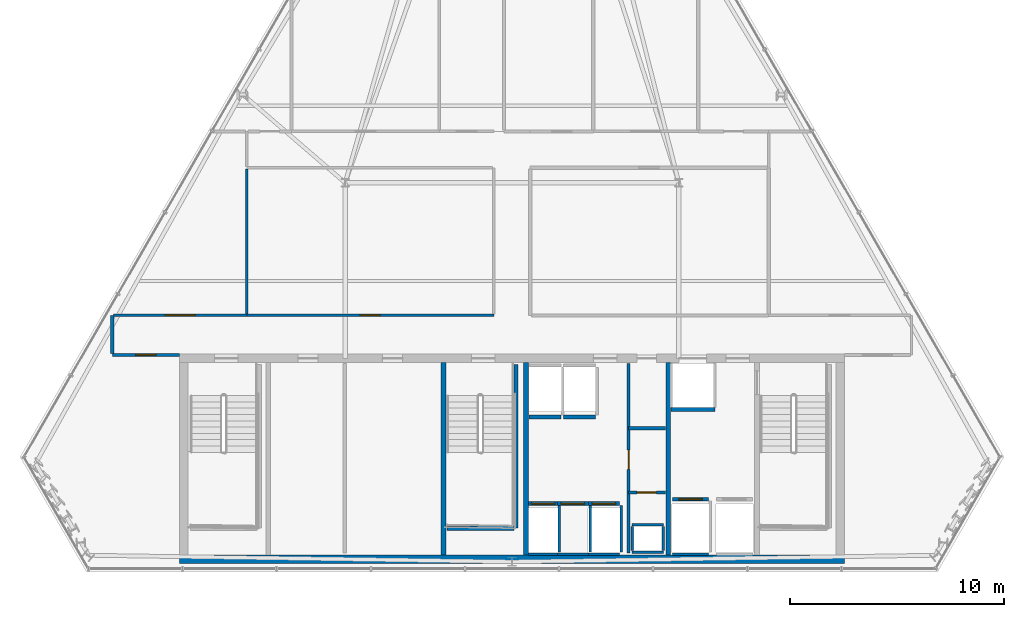
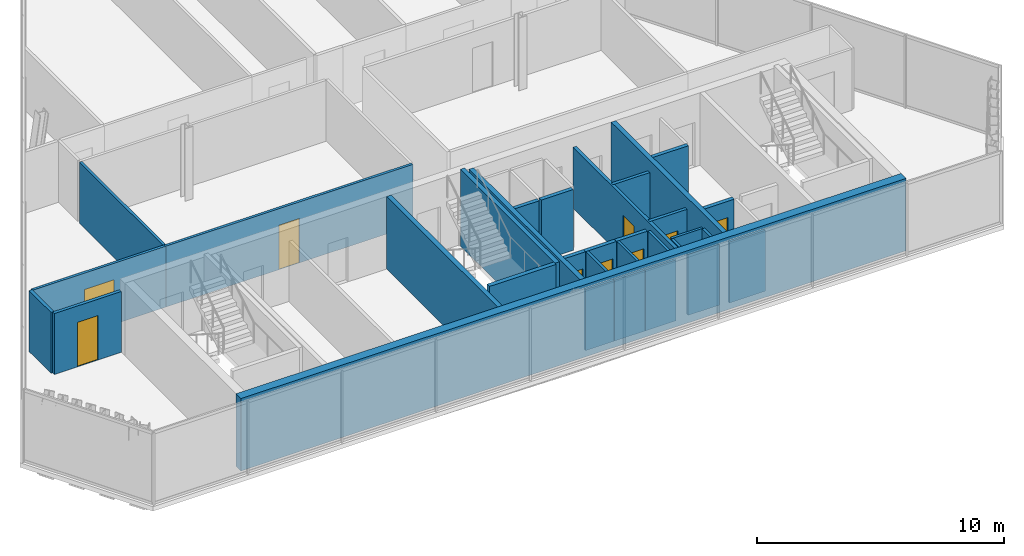
# One storey, part 27 of 32: 32 walls, 9 doors, 9 openings.
"""IFC4 building model written with IfcOpenShell, lengths in metres."""

from ifc_helpers import new_model, si_unit, direction, frame, frame_2d, origin, place, context, subcontext, project, spatial, rectangle, extrude, material, layer, layer_set, type_object, element, fill, save


model = new_model("IFC4")

# Units and contexts
model_context = context("Model", 3, precision=1e-05, world=origin(), true_north=direction((0.0, 1.0)))
body_context = subcontext(model_context, "Body", "Model", "MODEL_VIEW")
ifc_project = project(units=[si_unit("LENGTHUNIT", "METRE"), si_unit("AREAUNIT", "SQUARE_METRE"), si_unit("VOLUMEUNIT", "CUBIC_METRE"), si_unit("PLANEANGLEUNIT", "RADIAN"), si_unit("MASSUNIT", "GRAM", prefix="KILO")], contexts=[model_context])

# Site, building, storey
site_placement = place(None, origin())
site = spatial("IfcSite", under=ifc_project, at=site_placement, CompositionType="ELEMENT")
building_placement = place(site_placement, origin())
building = spatial("IfcBuilding", under=site, at=building_placement, Name="Ndaravel Arena Tower", CompositionType="ELEMENT")
storey_placement = place(building_placement, frame((0.0, 0.0, 259.800048828125)))
storey = spatial("IfcBuildingStorey", under=building, at=storey_placement, Name="L63", CompositionType="ELEMENT", Elevation=259.800048828125)

# Wall, opening, door
ifc_material_1 = material(Name="Gypsum", Category="gypsum")
ifc_layer_1 = layer(ifc_material_1, 0.14990234375)
ifc_layer_set_1 = layer_set([ifc_layer_1], Name="Gypsum")
wall_type_1 = type_object("IfcWallType", Name="WALL-COMP-150", PredefinedType="PARTITIONING", material=ifc_layer_set_1)
wall_1_placement = place(storey_placement, frame((47.449951171875, 5.89990234375, 0.0), z_axis=(0.0, 0.0, 1.0), x_axis=(0.0, 1.0, 0.0)))
wall_1 = element("IfcWall", 1, at=wall_1_placement, inside=storey, type_object=wall_type_1, Name="L63 Core Riser Bay Partition", PredefinedType="PARTITIONING", context=body_context, shape_type="SweptSolid", body=[
    extrude(rectangle(XDim=8.85009765625, YDim=0.14990234375, at=frame_2d((4.425048828125, 0.0))), origin(), (0.0, 0.0, 1.0), 3.010498046875),
])
opening_1_placement = place(wall_1_placement, frame((3.89990234375, 0.0, 0.0)))
opening_1 = element("IfcOpeningElement", 2, at=opening_1_placement, cuts=wall_1, Name="Opening RD-01", PredefinedType="OPENING", context=body_context, shape_type="SweptSolid", body=[
    extrude(rectangle(XDim=0.89990234375, YDim=2.10009765625, at=frame_2d((0.449951171875, 1.050048828125))), frame((0.0, 0.074951171875, 0.0), z_axis=(0.0, -1.0, 0.0), x_axis=(1.0, 0.0, 0.0)), (0.0, 0.0, 1.0), 0.14990234375),
])
ifc_material_2 = material(Name="Steel S355", Category="steel")
door_type_1 = type_object("IfcDoorType", Name="DT-08-RISER-900", OperationType="SINGLE_SWING_LEFT", PredefinedType="DOOR", material=ifc_material_2)
door_1_placement = place(opening_1_placement, origin())
door_1 = element("IfcDoor", 3, at=door_1_placement, inside=storey, type_object=door_type_1, Name="L63 Plumbing Riser Door", OperationType="SINGLE_SWING_LEFT", OverallHeight=2.10009765625, OverallWidth=0.89990234375, PredefinedType="DOOR", context=body_context, shape_type="SweptSolid", body=[
    extrude(rectangle(XDim=0.89990234375, YDim=2.10009765625, at=frame_2d((0.449951171875, 1.050048828125))), frame((0.0, 0.02490234375, 0.0), z_axis=(0.0, -1.0, 0.0), x_axis=(1.0, 0.0, 0.0)), (0.0, 0.0, 1.0), 0.050048828125),
])
fill(opening_1, door_1)

wall_2_placement = place(storey_placement, frame((47.449951171875, 8.719970703125, 0.0), z_axis=(0.0, 0.0, 1.0), x_axis=(1.0, 0.0, 0.0)))
wall_2 = element("IfcWall", 4, at=wall_2_placement, inside=storey, type_object=wall_type_1, Name="L63 Core Riser Divider 1", PredefinedType="PARTITIONING", context=body_context, shape_type="SweptSolid", body=[
    extrude(rectangle(XDim=1.72998046875, YDim=0.14990234375, at=frame_2d((0.864990234375, 0.0))), origin(), (0.0, 0.0, 1.0), 3.010498046875),
])
opening_2_placement = place(wall_2_placement, frame((0.39990234375, 0.0, 0.0)))
opening_2 = element("IfcOpeningElement", 5, at=opening_2_placement, cuts=wall_2, Name="Opening RD-01", PredefinedType="OPENING", context=body_context, shape_type="SweptSolid", body=[
    extrude(rectangle(XDim=0.89990234375, YDim=2.10009765625, at=frame_2d((0.449951171875, 1.050048828125))), frame((0.0, 0.074951171875, 0.0), z_axis=(0.0, -1.0, 0.0), x_axis=(1.0, 0.0, 0.0)), (0.0, 0.0, 1.0), 0.14990234375),
])
door_2_placement = place(opening_2_placement, origin())
door_2 = element("IfcDoor", 6, at=door_2_placement, inside=storey, type_object=door_type_1, Name="L63 Low-Voltage Riser Door", OperationType="SINGLE_SWING_RIGHT", OverallHeight=2.10009765625, OverallWidth=0.89990234375, PredefinedType="DOOR", context=body_context, shape_type="SweptSolid", body=[
    extrude(rectangle(XDim=0.89990234375, YDim=2.10009765625, at=frame_2d((0.449951171875, 1.050048828125))), frame((0.0, 0.02490234375, 0.0), z_axis=(0.0, -1.0, 0.0), x_axis=(1.0, 0.0, 0.0)), (0.0, 0.0, 1.0), 0.050048828125),
])
fill(opening_2, door_2)

# Walls
wall_3_placement = place(storey_placement, frame((47.449951171875, 11.719970703125, 0.0), z_axis=(0.0, 0.0, 1.0), x_axis=(1.0, 0.0, 0.0)))
element("IfcWall", 7, at=wall_3_placement, inside=storey, type_object=wall_type_1, Name="L63 Core Riser Divider 2", PredefinedType="PARTITIONING", context=body_context, shape_type="SweptSolid", body=[
    extrude(rectangle(XDim=1.72998046875, YDim=0.14990234375, at=frame_2d((0.864990234375, 0.0))), origin(), (0.0, 0.0, 1.0), 3.010498046875),
])
ifc_material_3 = material(Name="Concrete C50/60", Category="concrete")
ifc_layer_2 = layer(ifc_material_3, 0.219970703125)
ifc_layer_set_2 = layer_set([ifc_layer_2], Name="Concrete C50/60")
wall_type_2 = type_object("IfcWallType", Name="WALL-CORE-220", PredefinedType="SOLIDWALL", material=ifc_layer_set_2)
for number, where, z_axis, x_axis, name in (
    (8, (38.800048828125, 5.800048828125, 0.0), (0.0, 0.0, 1.0), (0.0, 1.0, 0.0), "L63 Core Web Shear Wall 2"),
    (9, (42.64990234375, 5.800048828125, 0.0), (0.0, 0.0, 1.0), (0.0, 1.0, 0.0), "L63 Core Web Shear Wall 3"),
    (10, (49.300048828125, 5.800048828125, 0.0), (0.0, 0.0, 1.0), (0.0, 1.0, 0.0), "L63 Core Web Shear Wall 4"),
):
    element("IfcWall", number, at=place(storey_placement, frame(where, z_axis=z_axis, x_axis=x_axis)), inside=storey, type_object=wall_type_2, Name=name, PredefinedType="SOLIDWALL", context=body_context, shape_type="SweptSolid", body=[
        extrude(rectangle(XDim=9.0, YDim=0.219970703125, at=frame_2d((4.5, 0.0))), origin(), (0.0, 0.0, 1.0), 3.579833984375),
    ])
ifc_material_4 = material(Name="Concrete C50/60", Category="concrete")
ifc_layer_3 = layer(ifc_material_4, 0.39990234375)
ifc_layer_set_3 = layer_set([ifc_layer_3], Name="Concrete C50/60")
wall_type_3 = type_object("IfcWallType", Name="WALL-CORE-400", PredefinedType="SOLIDWALL", material=ifc_layer_set_3)
wall_4_placement = place(storey_placement, frame((26.449951171875, 5.60009765625, 0.0), z_axis=(0.0, 0.0, 1.0), x_axis=(1.0, 0.0, 0.0)))
element("IfcWall", 11, at=wall_4_placement, inside=storey, type_object=wall_type_3, Name="L63 Core South Shear Wall", PredefinedType="SOLIDWALL", context=body_context, shape_type="SweptSolid", body=[
    extrude(rectangle(XDim=31.10009765625, YDim=0.39990234375, at=frame_2d((15.550048828125, 0.0))), origin(), (0.0, 0.0, 1.0), 3.579833984375),
])

# Wall, opening, door
ifc_material_5 = material(Name="Gypsum", Category="gypsum")
ifc_layer_4 = layer(ifc_material_5, 0.125)
ifc_layer_set_4 = layer_set([ifc_layer_4], Name="Gypsum")
wall_type_4 = type_object("IfcWallType", Name="WALL-PART-125", PredefinedType="PARTITIONING", material=ifc_layer_set_4)
wall_5_placement = place(storey_placement, frame((23.3798828125, 17.0, 0.0), z_axis=(0.0, 0.0, 1.0), x_axis=(1.0, 0.0, 0.0)))
wall_5 = element("IfcWall", 12, at=wall_5_placement, inside=storey, type_object=wall_type_4, Name="L63 Interior Partition 005", PredefinedType="PARTITIONING", context=body_context, shape_type="SweptSolid", body=[
    extrude(rectangle(XDim=6.22021484375, YDim=0.125, at=frame_2d((3.110107421875, 0.0))), origin(), (0.0, 0.0, 1.0), 3.010498046875),
])
opening_3_placement = place(wall_5_placement, frame((2.409912109375, 0.0, 0.0)))
opening_3 = element("IfcOpeningElement", 13, at=opening_3_placement, cuts=wall_5, Name="Opening ID-02", PredefinedType="OPENING", context=body_context, shape_type="SweptSolid", body=[
    extrude(rectangle(XDim=1.39990234375, YDim=2.199951171875, at=frame_2d((0.699951171875, 1.10009765625))), frame((0.0, 0.0625, 0.0), z_axis=(0.0, -1.0, 0.0), x_axis=(1.0, 0.0, 0.0)), (0.0, 0.0, 1.0), 0.125),
])
ifc_material_6 = material(Name="Timber", Category="wood")
door_type_2 = type_object("IfcDoorType", Name="DT-04-SUITE-1400", OperationType="DOUBLE_DOOR_SINGLE_SWING", PredefinedType="DOOR", material=ifc_material_6)
door_3_placement = place(opening_3_placement, origin())
door_3 = element("IfcDoor", 14, at=door_3_placement, inside=storey, type_object=door_type_2, Name="L63 Executive Boardroom Door", OperationType="SINGLE_SWING_RIGHT", OverallHeight=2.199951171875, OverallWidth=1.39990234375, PredefinedType="DOOR", context=body_context, shape_type="SweptSolid", body=[
    extrude(rectangle(XDim=1.39990234375, YDim=2.199951171875, at=frame_2d((0.699951171875, 1.10009765625))), frame((0.0, 0.02490234375, 0.0), z_axis=(0.0, -1.0, 0.0), x_axis=(1.0, 0.0, 0.0)), (0.0, 0.0, 1.0), 0.050048828125),
])
fill(opening_3, door_3)

wall_6_placement = place(storey_placement, frame((29.60009765625, 17.0, 0.0), z_axis=(0.0, 0.0, 1.0), x_axis=(1.0, 0.0, 0.0)))
wall_6 = element("IfcWall", 15, at=wall_6_placement, inside=storey, type_object=wall_type_4, Name="L63 Interior Partition 006", PredefinedType="PARTITIONING", context=body_context, shape_type="SweptSolid", body=[
    extrude(rectangle(XDim=11.5498046875, YDim=0.125, at=frame_2d((5.77490234375, 0.0))), origin(), (0.0, 0.0, 1.0), 3.010498046875),
])
opening_4_placement = place(wall_6_placement, frame((5.300048828125, 0.0, 0.0)))
opening_4 = element("IfcOpeningElement", 16, at=opening_4_placement, cuts=wall_6, Name="Opening ID-01", PredefinedType="OPENING", context=body_context, shape_type="SweptSolid", body=[
    extrude(rectangle(XDim=0.949951171875, YDim=2.199951171875, at=frame_2d((0.47509765625, 1.10009765625))), frame((0.0, 0.0625, 0.0), z_axis=(0.0, -1.0, 0.0), x_axis=(1.0, 0.0, 0.0)), (0.0, 0.0, 1.0), 0.125),
])
ifc_material_7 = material(Name="Timber", Category="wood")
door_type_3 = type_object("IfcDoorType", Name="DT-03-OFFICE-950", OperationType="SINGLE_SWING_LEFT", PredefinedType="DOOR", material=ifc_material_7)
door_4_placement = place(opening_4_placement, origin())
door_4 = element("IfcDoor", 17, at=door_4_placement, inside=storey, type_object=door_type_3, Name="L63 Staff Wellness Clinic Door", OperationType="SINGLE_SWING_LEFT", OverallHeight=2.199951171875, OverallWidth=0.949951171875, PredefinedType="DOOR", context=body_context, shape_type="SweptSolid", body=[
    extrude(rectangle(XDim=0.949951171875, YDim=2.199951171875, at=frame_2d((0.47509765625, 1.10009765625))), frame((0.0, 0.02490234375, 0.0), z_axis=(0.0, -1.0, 0.0), x_axis=(1.0, 0.0, 0.0)), (0.0, 0.0, 1.0), 0.050048828125),
])
fill(opening_4, door_4)

# Walls
wall_7_placement = place(storey_placement, frame((29.60009765625, 23.8349609375, 0.0), z_axis=(0.0, 0.0, 1.0), x_axis=(0.0, -1.0, 0.0)))
element("IfcWall", 18, at=wall_7_placement, inside=storey, type_object=wall_type_4, Name="L63 Interior Partition 022", PredefinedType="PARTITIONING", context=body_context, shape_type="SweptSolid", body=[
    extrude(rectangle(XDim=6.77001953125, YDim=0.125, at=frame_2d((3.385009765625, 0.0))), origin(), (0.0, 0.0, 1.0), 3.010498046875),
])
ifc_material_8 = material(Name="Concrete C40/50", Category="concrete")
ifc_layer_5 = layer(ifc_material_8, 0.1201171875)
ifc_layer_set_5 = layer_set([ifc_layer_5], Name="Concrete C40/50")
wall_type_5 = type_object("IfcWallType", Name="WALL-SHAFT-120", PredefinedType="SOLIDWALL", material=ifc_layer_set_5)
for number, where, z_axis, x_axis, name in (
    (19, (47.6201171875, 5.919921875, 0.0), (0.0, 0.0, 1.0), (1.0, 0.0, 0.0), "L63 MEP Riser Shaft S Wall"),
    (20, (47.6201171875, 7.219970703125, 0.0), (0.0, 0.0, 1.0), (1.0, 0.0, 0.0), "L63 MEP Riser Shaft N Wall"),
):
    element("IfcWall", number, at=place(storey_placement, frame(where, z_axis=z_axis, x_axis=x_axis)), inside=storey, type_object=wall_type_5, Name=name, PredefinedType="SOLIDWALL", context=body_context, shape_type="SweptSolid", body=[
        extrude(rectangle(XDim=1.4599609375, YDim=0.1201171875, at=frame_2d((0.72998046875, 0.0))), origin(), (0.0, 0.0, 1.0), 3.010498046875),
    ])
for number, where, z_axis, x_axis, name in (
    (21, (47.6201171875, 6.0, 0.0), (0.0, 0.0, 1.0), (0.0, 1.0, 0.0), "L63 MEP Riser Shaft W Wall"),
    (22, (49.080078125, 6.0, 0.0), (0.0, 0.0, 1.0), (0.0, 1.0, 0.0), "L63 MEP Riser Shaft E Wall"),
):
    element("IfcWall", number, at=place(storey_placement, frame(where, z_axis=z_axis, x_axis=x_axis)), inside=storey, type_object=wall_type_5, Name=name, PredefinedType="SOLIDWALL", context=body_context, shape_type="SweptSolid", body=[
        extrude(rectangle(XDim=1.139892578125, YDim=0.1201171875, at=frame_2d((0.56982421875, 0.0))), origin(), (0.0, 0.0, 1.0), 3.010498046875),
    ])
wall_8_placement = place(storey_placement, frame((42.780029296875, 5.840087890625, 0.0), z_axis=(0.0, 0.0, 1.0), x_axis=(1.0, 0.0, 0.0)))
element("IfcWall", 23, at=wall_8_placement, inside=storey, type_object=wall_type_5, Name="L63 PL-H1 Shaft Rear Wall", PredefinedType="SOLIDWALL", context=body_context, shape_type="SweptSolid", body=[
    extrude(rectangle(XDim=1.340087890625, YDim=0.1201171875, at=frame_2d((0.669921875, 0.0))), origin(), (0.0, 0.0, 1.0), 3.010498046875),
])
wall_9_placement = place(storey_placement, frame((44.199951171875, 5.929931640625, 0.0), z_axis=(0.0, 0.0, 1.0), x_axis=(0.0, 1.0, 0.0)))
element("IfcWall", 24, at=wall_9_placement, inside=storey, type_object=wall_type_5, Name="L63 PL-H1 Shaft Side R Wall", PredefinedType="SOLIDWALL", context=body_context, shape_type="SweptSolid", body=[
    extrude(rectangle(XDim=2.18017578125, YDim=0.1201171875, at=frame_2d((1.090087890625, 0.0))), origin(), (0.0, 0.0, 1.0), 3.010498046875),
])
wall_10_placement = place(storey_placement, frame((44.1298828125, 5.840087890625, 0.0), z_axis=(0.0, 0.0, 1.0), x_axis=(1.0, 0.0, 0.0)))
element("IfcWall", 25, at=wall_10_placement, inside=storey, type_object=wall_type_5, Name="L63 PL-H2 Shaft Rear Wall", PredefinedType="SOLIDWALL", context=body_context, shape_type="SweptSolid", body=[
    extrude(rectangle(XDim=1.440185546875, YDim=0.1201171875, at=frame_2d((0.72021484375, 0.0))), origin(), (0.0, 0.0, 1.0), 3.010498046875),
])
wall_11_placement = place(storey_placement, frame((45.64990234375, 5.929931640625, 0.0), z_axis=(0.0, 0.0, 1.0), x_axis=(0.0, 1.0, 0.0)))
element("IfcWall", 26, at=wall_11_placement, inside=storey, type_object=wall_type_5, Name="L63 PL-H2 Shaft Side R Wall", PredefinedType="SOLIDWALL", context=body_context, shape_type="SweptSolid", body=[
    extrude(rectangle(XDim=2.18017578125, YDim=0.1201171875, at=frame_2d((1.090087890625, 0.0))), origin(), (0.0, 0.0, 1.0), 3.010498046875),
])
wall_12_placement = place(storey_placement, frame((45.580078125, 5.840087890625, 0.0), z_axis=(0.0, 0.0, 1.0), x_axis=(1.0, 0.0, 0.0)))
element("IfcWall", 27, at=wall_12_placement, inside=storey, type_object=wall_type_5, Name="L63 PL-H3 Shaft Rear Wall", PredefinedType="SOLIDWALL", context=body_context, shape_type="SweptSolid", body=[
    extrude(rectangle(XDim=1.43994140625, YDim=0.1201171875, at=frame_2d((0.719970703125, 0.0))), origin(), (0.0, 0.0, 1.0), 3.010498046875),
])
wall_13_placement = place(storey_placement, frame((47.10009765625, 5.929931640625, 0.0), z_axis=(0.0, 0.0, 1.0), x_axis=(0.0, 1.0, 0.0)))
element("IfcWall", 28, at=wall_13_placement, inside=storey, type_object=wall_type_5, Name="L63 PL-H3 Shaft Side R Wall", PredefinedType="SOLIDWALL", context=body_context, shape_type="SweptSolid", body=[
    extrude(rectangle(XDim=2.18017578125, YDim=0.1201171875, at=frame_2d((1.090087890625, 0.0))), origin(), (0.0, 0.0, 1.0), 3.010498046875),
])
wall_14_placement = place(storey_placement, frame((49.5048828125, 5.840087890625, 0.0), z_axis=(0.0, 0.0, 1.0), x_axis=(1.0, 0.0, 0.0)))
element("IfcWall", 29, at=wall_14_placement, inside=storey, type_object=wall_type_5, Name="L63 FFL-1 Shaft Rear Wall", PredefinedType="SOLIDWALL", context=body_context, shape_type="SweptSolid", body=[
    extrude(rectangle(XDim=1.690185546875, YDim=0.1201171875, at=frame_2d((0.84521484375, 0.0))), origin(), (0.0, 0.0, 1.0), 3.010498046875),
])
ifc_material_9 = material(Name="Concrete C40/50", Category="concrete")
ifc_layer_6 = layer(ifc_material_9, 0.199951171875)
ifc_layer_set_6 = layer_set([ifc_layer_6], Name="Concrete C40/50")
wall_type_6 = type_object("IfcWallType", Name="WALL-SHAFT-200", PredefinedType="SOLIDWALL", material=ifc_layer_set_6)
wall_15_placement = place(storey_placement, frame((42.18994140625, 14.699951171875, 0.0), z_axis=(0.0, 0.0, 1.0), x_axis=(0.0, -1.0, 0.0)))
element("IfcWall", 30, at=wall_15_placement, inside=storey, type_object=wall_type_6, Name="L63 ST-2 Structural Shaft Wall Right", PredefinedType="SOLIDWALL", context=body_context, shape_type="SweptSolid", body=[
    extrude(rectangle(XDim=7.64990234375, YDim=0.199951171875, at=frame_2d((3.824951171875, 0.0))), origin(), (0.0, 0.0, 1.0), 3.800048828125),
])
wall_16_placement = place(storey_placement, frame((38.969970703125, 7.050048828125, 0.0), z_axis=(0.0, 0.0, 1.0), x_axis=(1.0, 0.0, 0.0)))
element("IfcWall", 31, at=wall_16_placement, inside=storey, type_object=wall_type_6, Name="L63 ST-2 Structural Shaft Wall Far", PredefinedType="SOLIDWALL", context=body_context, shape_type="SweptSolid", body=[
    extrude(rectangle(XDim=3.114990234375, YDim=0.199951171875, at=frame_2d((1.5576171875, 0.0))), origin(), (0.0, 0.0, 1.0), 3.800048828125),
])

# Wall, opening, door
wall_17_placement = place(storey_placement, frame((42.780029296875, 8.199951171875, 0.0), z_axis=(0.0, 0.0, 1.0), x_axis=(1.0, 0.0, 0.0)))
wall_17 = element("IfcWall", 32, at=wall_17_placement, inside=storey, type_object=wall_type_6, Name="L63 PL-H1 Shaft Landing Wall", PredefinedType="SOLIDWALL", context=body_context, shape_type="SweptSolid", body=[
    extrude(rectangle(XDim=1.340087890625, YDim=0.179931640625, at=frame_2d((0.669921875, 0.0))), origin(), (0.0, 0.0, 1.0), 3.010498046875),
])
opening_5_placement = place(wall_17_placement, frame((0.1201171875, 0.0, 0.0)))
opening_5 = element("IfcOpeningElement", 33, at=opening_5_placement, cuts=wall_17, Name="Opening LD-01", PredefinedType="OPENING", context=body_context, shape_type="SweptSolid", body=[
    extrude(rectangle(XDim=1.10009765625, YDim=2.199951171875, at=frame_2d((0.550048828125, 1.10009765625))), frame((0.0, 0.08984375, 0.0), z_axis=(0.0, -1.0, 0.0), x_axis=(1.0, 0.0, 0.0)), (0.0, 0.0, 1.0), 0.179931640625),
])
ifc_material_10 = material(Name="Steel S355", Category="steel")
door_type_4 = type_object("IfcDoorType", Name="DT-06-LIFT-1100", OperationType="SLIDING_TO_LEFT", PredefinedType="DOOR", material=ifc_material_10)
door_5_placement = place(opening_5_placement, origin())
door_5 = element("IfcDoor", 34, at=door_5_placement, inside=storey, type_object=door_type_4, Name="L63 Lift PL-H1 Sliding Landing Door", OperationType="SLIDING_TO_LEFT", OverallHeight=2.199951171875, OverallWidth=1.10009765625, PredefinedType="DOOR", context=body_context, shape_type="SweptSolid", body=[
    extrude(rectangle(XDim=1.10009765625, YDim=2.199951171875, at=frame_2d((0.550048828125, 1.10009765625))), frame((0.0, 0.02490234375, 0.0), z_axis=(0.0, -1.0, 0.0), x_axis=(1.0, 0.0, 0.0)), (0.0, 0.0, 1.0), 0.050048828125),
])
fill(opening_5, door_5)

wall_18_placement = place(storey_placement, frame((44.1298828125, 8.199951171875, 0.0), z_axis=(0.0, 0.0, 1.0), x_axis=(1.0, 0.0, 0.0)))
wall_18 = element("IfcWall", 35, at=wall_18_placement, inside=storey, type_object=wall_type_6, Name="L63 PL-H2 Shaft Landing Wall", PredefinedType="SOLIDWALL", context=body_context, shape_type="SweptSolid", body=[
    extrude(rectangle(XDim=1.440185546875, YDim=0.179931640625, at=frame_2d((0.72021484375, 0.0))), origin(), (0.0, 0.0, 1.0), 3.010498046875),
])
opening_6_placement = place(wall_18_placement, frame((0.169921875, 0.0, 0.0)))
opening_6 = element("IfcOpeningElement", 36, at=opening_6_placement, cuts=wall_18, Name="Opening LD-01", PredefinedType="OPENING", context=body_context, shape_type="SweptSolid", body=[
    extrude(rectangle(XDim=1.10009765625, YDim=2.199951171875, at=frame_2d((0.550048828125, 1.10009765625))), frame((0.0, 0.08984375, 0.0), z_axis=(0.0, -1.0, 0.0), x_axis=(1.0, 0.0, 0.0)), (0.0, 0.0, 1.0), 0.179931640625),
])
door_6_placement = place(opening_6_placement, origin())
door_6 = element("IfcDoor", 37, at=door_6_placement, inside=storey, type_object=door_type_4, Name="L63 Lift PL-H2 Sliding Landing Door", OperationType="SLIDING_TO_LEFT", OverallHeight=2.199951171875, OverallWidth=1.10009765625, PredefinedType="DOOR", context=body_context, shape_type="SweptSolid", body=[
    extrude(rectangle(XDim=1.10009765625, YDim=2.199951171875, at=frame_2d((0.550048828125, 1.10009765625))), frame((0.0, 0.02490234375, 0.0), z_axis=(0.0, -1.0, 0.0), x_axis=(1.0, 0.0, 0.0)), (0.0, 0.0, 1.0), 0.050048828125),
])
fill(opening_6, door_6)

wall_19_placement = place(storey_placement, frame((45.580078125, 8.199951171875, 0.0), z_axis=(0.0, 0.0, 1.0), x_axis=(1.0, 0.0, 0.0)))
wall_19 = element("IfcWall", 38, at=wall_19_placement, inside=storey, type_object=wall_type_6, Name="L63 PL-H3 Shaft Landing Wall", PredefinedType="SOLIDWALL", context=body_context, shape_type="SweptSolid", body=[
    extrude(rectangle(XDim=1.43994140625, YDim=0.179931640625, at=frame_2d((0.719970703125, 0.0))), origin(), (0.0, 0.0, 1.0), 3.010498046875),
])
opening_7_placement = place(wall_19_placement, frame((0.169921875, 0.0, 0.0)))
opening_7 = element("IfcOpeningElement", 39, at=opening_7_placement, cuts=wall_19, Name="Opening LD-01", PredefinedType="OPENING", context=body_context, shape_type="SweptSolid", body=[
    extrude(rectangle(XDim=1.10009765625, YDim=2.199951171875, at=frame_2d((0.550048828125, 1.10009765625))), frame((0.0, 0.08984375, 0.0), z_axis=(0.0, -1.0, 0.0), x_axis=(1.0, 0.0, 0.0)), (0.0, 0.0, 1.0), 0.179931640625),
])
door_7_placement = place(opening_7_placement, origin())
door_7 = element("IfcDoor", 40, at=door_7_placement, inside=storey, type_object=door_type_4, Name="L63 Lift PL-H3 Sliding Landing Door", OperationType="SLIDING_TO_LEFT", OverallHeight=2.199951171875, OverallWidth=1.10009765625, PredefinedType="DOOR", context=body_context, shape_type="SweptSolid", body=[
    extrude(rectangle(XDim=1.10009765625, YDim=2.199951171875, at=frame_2d((0.550048828125, 1.10009765625))), frame((0.0, 0.02490234375, 0.0), z_axis=(0.0, -1.0, 0.0), x_axis=(1.0, 0.0, 0.0)), (0.0, 0.0, 1.0), 0.050048828125),
])
fill(opening_7, door_7)

# Walls
for number, where, z_axis, x_axis, name in (
    (41, (42.804931640625, 12.25, 0.0), (0.0, 0.0, 1.0), (1.0, 0.0, 0.0), "L63 PL-OBS1 Shaft Landing Wall"),
    (42, (44.405029296875, 12.25, 0.0), (0.0, 0.0, 1.0), (1.0, 0.0, 0.0), "L63 PL-OBS2 Shaft Landing Wall"),
):
    element("IfcWall", number, at=place(storey_placement, frame(where, z_axis=z_axis, x_axis=x_axis)), inside=storey, type_object=wall_type_6, Name=name, PredefinedType="SOLIDWALL", context=body_context, shape_type="SweptSolid", body=[
        extrude(rectangle(XDim=1.489990234375, YDim=0.179931640625, at=frame_2d((0.7451171875, 0.0))), origin(), (0.0, 0.0, 1.0), 3.010498046875),
    ])

# Wall, opening, door
wall_20_placement = place(storey_placement, frame((49.5048828125, 8.39990234375, 0.0), z_axis=(0.0, 0.0, 1.0), x_axis=(1.0, 0.0, 0.0)))
wall_20 = element("IfcWall", 43, at=wall_20_placement, inside=storey, type_object=wall_type_6, Name="L63 FFL-1 Shaft Landing Wall", PredefinedType="SOLIDWALL", context=body_context, shape_type="SweptSolid", body=[
    extrude(rectangle(XDim=1.690185546875, YDim=0.179931640625, at=frame_2d((0.84521484375, 0.0))), origin(), (0.0, 0.0, 1.0), 3.010498046875),
])
opening_8_placement = place(wall_20_placement, frame((0.294921875, 0.0, 0.0)))
opening_8 = element("IfcOpeningElement", 44, at=opening_8_placement, cuts=wall_20, Name="Opening LD-01", PredefinedType="OPENING", context=body_context, shape_type="SweptSolid", body=[
    extrude(rectangle(XDim=1.10009765625, YDim=2.199951171875, at=frame_2d((0.550048828125, 1.10009765625))), frame((0.0, 0.08984375, 0.0), z_axis=(0.0, -1.0, 0.0), x_axis=(1.0, 0.0, 0.0)), (0.0, 0.0, 1.0), 0.179931640625),
])
door_8_placement = place(opening_8_placement, origin())
door_8 = element("IfcDoor", 45, at=door_8_placement, inside=storey, type_object=door_type_4, Name="L63 Lift FFL-1 Sliding Landing Door", OperationType="SLIDING_TO_LEFT", OverallHeight=2.199951171875, OverallWidth=1.10009765625, PredefinedType="DOOR", context=body_context, shape_type="SweptSolid", body=[
    extrude(rectangle(XDim=1.10009765625, YDim=2.199951171875, at=frame_2d((0.550048828125, 1.10009765625))), frame((0.0, 0.02490234375, 0.0), z_axis=(0.0, -1.0, 0.0), x_axis=(1.0, 0.0, 0.0)), (0.0, 0.0, 1.0), 0.050048828125),
])
fill(opening_8, door_8)

# Wall
wall_21_placement = place(storey_placement, frame((49.43994140625, 12.594970703125, 0.0), z_axis=(0.0, 0.0, 1.0), x_axis=(1.0, 0.0, 0.0)))
element("IfcWall", 46, at=wall_21_placement, inside=storey, type_object=wall_type_6, Name="L63 SVL-1 Shaft South Wall", PredefinedType="SOLIDWALL", context=body_context, shape_type="SweptSolid", body=[
    extrude(rectangle(XDim=2.0400390625, YDim=0.179931640625, at=frame_2d((1.02001953125, 0.0))), origin(), (0.0, 0.0, 1.0), 3.010498046875),
])

# Wall, opening, door
ifc_material_11 = material(Name="Masonry", Category="masonry")
ifc_layer_7 = layer(ifc_material_11, 0.14990234375)
ifc_layer_set_7 = layer_set([ifc_layer_7], Name="Masonry")
wall_type_7 = type_object("IfcWallType", Name="WALL-WET-150", PredefinedType="PARTITIONING", material=ifc_layer_set_7)
wall_22_placement = place(storey_placement, frame((26.449951171875, 15.14990234375, 0.0), z_axis=(0.0, 0.0, 1.0), x_axis=(-1.0, 0.0, 0.0)))
wall_22 = element("IfcWall", 47, at=wall_22_placement, inside=storey, type_object=wall_type_7, Name="L63 Interior Partition 003", PredefinedType="PARTITIONING", context=body_context, shape_type="SweptSolid", body=[
    extrude(rectangle(XDim=3.135009765625, YDim=0.14990234375, at=frame_2d((1.5673828125, 0.0))), origin(), (0.0, 0.0, 1.0), 3.010498046875),
])
opening_9_placement = place(wall_22_placement, frame((1.092529296875, 0.0, 0.0)))
opening_9 = element("IfcOpeningElement", 48, at=opening_9_placement, cuts=wall_22, Name="Opening FD-03", PredefinedType="OPENING", context=body_context, shape_type="SweptSolid", body=[
    extrude(rectangle(XDim=0.949951171875, YDim=2.199951171875, at=frame_2d((0.47509765625, 1.10009765625))), frame((0.0, 0.074951171875, 0.0), z_axis=(0.0, -1.0, 0.0), x_axis=(1.0, 0.0, 0.0)), (0.0, 0.0, 1.0), 0.14990234375),
])
ifc_material_12 = material(Name="Steel S355", Category="steel")
door_type_5 = type_object("IfcDoorType", Name="DT-11-CORE-950", OperationType="SINGLE_SWING_LEFT", PredefinedType="DOOR", material=ifc_material_12)
door_9_placement = place(opening_9_placement, origin())
door_9 = element("IfcDoor", 49, at=door_9_placement, inside=storey, type_object=door_type_5, Name="L63 Staff Espresso Kitchen Door", OperationType="SINGLE_SWING_RIGHT", OverallHeight=2.199951171875, OverallWidth=0.949951171875, PredefinedType="DOOR", context=body_context, shape_type="SweptSolid", body=[
    extrude(rectangle(XDim=0.949951171875, YDim=2.199951171875, at=frame_2d((0.47509765625, 1.10009765625))), frame((0.0, 0.02490234375, 0.0), z_axis=(0.0, -1.0, 0.0), x_axis=(1.0, 0.0, 0.0)), (0.0, 0.0, 1.0), 0.050048828125),
])
fill(opening_9, door_9)

# Wall
wall_23_placement = place(storey_placement, frame((23.31494140625, 15.215087890625, 0.0), z_axis=(0.0, 0.0, 1.0), x_axis=(0.0, 1.0, 0.0)))
element("IfcWall", 50, at=wall_23_placement, inside=storey, type_object=wall_type_7, Name="L63 Interior Partition 004", PredefinedType="PARTITIONING", context=body_context, shape_type="SweptSolid", body=[
    extrude(rectangle(XDim=1.784912109375, YDim=0.14990234375, at=frame_2d((0.892578125, 0.0))), origin(), (0.0, 0.0, 1.0), 3.010498046875),
])

save(model, "model.ifc")
